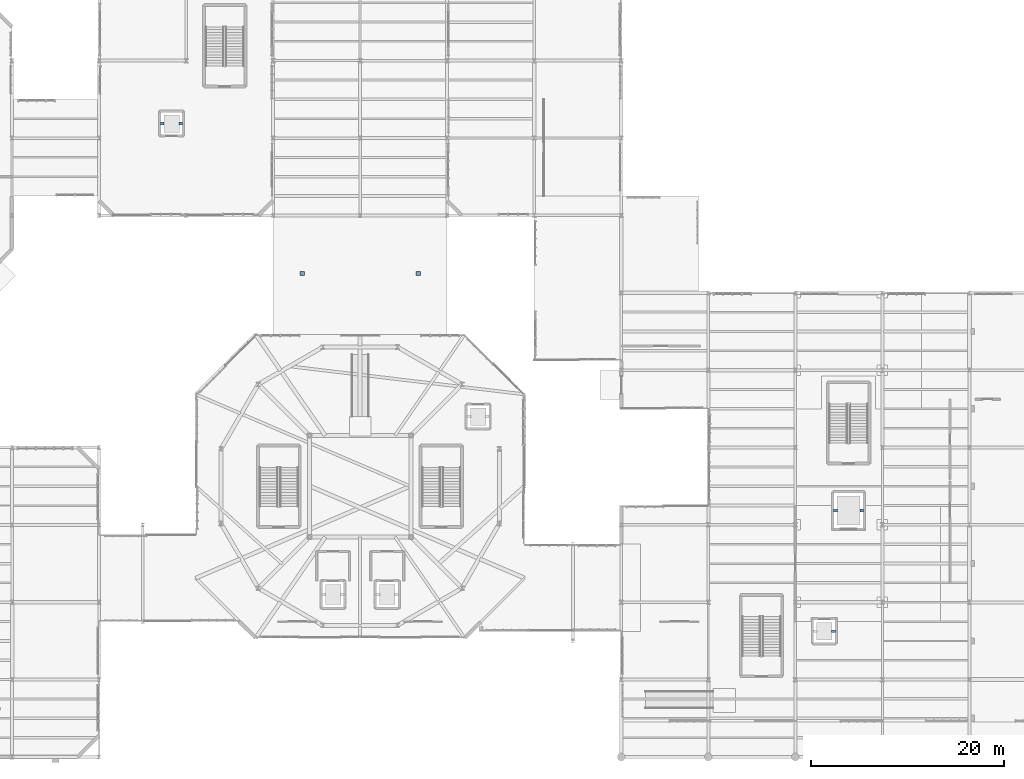
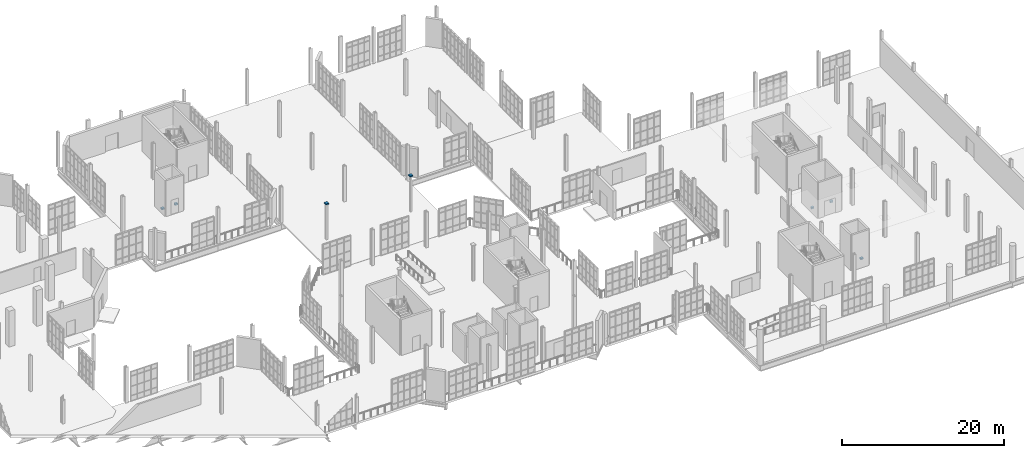
# One storey, part 180 of 189: 7 discrete accessories.
"""IFC4 building model written with IfcOpenShell, lengths in metres."""

from ifc_helpers import new_model, si_unit, direction, frame, origin, place, context, subcontext, project, spatial, polyline, outline, extrude, material, type_object, element, save


model = new_model("IFC4")

# Units and contexts
model_context = context("Model", 3, precision=1e-05, world=origin(), true_north=direction((0.0, 1.0)))
body_context = subcontext(model_context, "Body", "Model", "MODEL_VIEW")
ifc_project = project(units=[si_unit("LENGTHUNIT", "METRE"), si_unit("AREAUNIT", "SQUARE_METRE"), si_unit("VOLUMEUNIT", "CUBIC_METRE"), si_unit("PLANEANGLEUNIT", "RADIAN"), si_unit("MASSUNIT", "GRAM", prefix="KILO"), si_unit("THERMODYNAMICTEMPERATUREUNIT", "KELVIN"), si_unit("POWERUNIT", "WATT")], contexts=[model_context])

# Site, building, storey
site_placement = place(None, origin())
site = spatial("IfcSite", under=ifc_project, at=site_placement, CompositionType="ELEMENT")
building_placement = place(site_placement, origin())
building = spatial("IfcBuilding", under=site, at=building_placement, Name="Zelmaris Science Centre", CompositionType="ELEMENT")
storey_placement = place(building_placement, origin())
storey = spatial("IfcBuildingStorey", under=building, at=storey_placement, Name="L00", CompositionType="ELEMENT", Elevation=0.0)

# Discrete accessories
ifc_material_1 = material(Name="Galvanised steel ASTM A500 Grade B", Category="steel")
discrete_accessory_type_1 = type_object("IfcDiscreteAccessoryType", Name="Facade Bracket BK-02", PredefinedType="BRACKET", material=ifc_material_1)
discrete_accessory_1_placement = place(storey_placement, frame((0.0, 0.0, 0.199951171875)))
element("IfcDiscreteAccessory", 1, at=discrete_accessory_1_placement, inside=storey, type_object=discrete_accessory_type_1, Name="Lift LP-02 guide rail bracket E", PredefinedType="BRACKET", context=body_context, shape_type="SweptSolid", body=[
    extrude(outline(polyline([(129.760009765625, 20.85009765625), (130.139892578125, 20.85009765625), (130.139892578125, 21.14990234375), (129.760009765625, 21.14990234375), (129.760009765625, 20.85009765625)])), origin(), (0.0, 0.0, 1.0), 0.25),
])
discrete_accessory_2_placement = place(storey_placement, frame((0.0, 0.0, 0.199951171875)))
element("IfcDiscreteAccessory", 2, at=discrete_accessory_2_placement, inside=storey, type_object=discrete_accessory_type_1, Name="Lift LP-03 guide rail bracket W", PredefinedType="BRACKET", context=body_context, shape_type="SweptSolid", body=[
    extrude(outline(polyline([(60.360107421875, 73.35009765625), (60.739990234375, 73.35009765625), (60.739990234375, 73.64990234375), (60.360107421875, 73.64990234375), (60.360107421875, 73.35009765625)])), origin(), (0.0, 0.0, 1.0), 0.25),
])
discrete_accessory_3_placement = place(storey_placement, frame((0.0, 0.0, 0.199951171875)))
element("IfcDiscreteAccessory", 3, at=discrete_accessory_3_placement, inside=storey, type_object=discrete_accessory_type_1, Name="Lift LP-03 guide rail bracket E", PredefinedType="BRACKET", context=body_context, shape_type="SweptSolid", body=[
    extrude(outline(polyline([(62.260009765625, 73.35009765625), (62.639892578125, 73.35009765625), (62.639892578125, 73.64990234375), (62.260009765625, 73.64990234375), (62.260009765625, 73.35009765625)])), origin(), (0.0, 0.0, 1.0), 0.25),
])
discrete_accessory_4_placement = place(storey_placement, frame((0.0, 0.0, 0.199951171875)))
element("IfcDiscreteAccessory", 4, at=discrete_accessory_4_placement, inside=storey, type_object=discrete_accessory_type_1, Name="Lift GL-01 guide rail bracket W", PredefinedType="BRACKET", context=body_context, shape_type="SweptSolid", body=[
    extrude(outline(polyline([(129.9599609375, 33.35009765625), (130.340087890625, 33.35009765625), (130.340087890625, 33.64990234375), (129.9599609375, 33.64990234375), (129.9599609375, 33.35009765625)])), origin(), (0.0, 0.0, 1.0), 0.25),
])
discrete_accessory_5_placement = place(storey_placement, frame((0.0, 0.0, 0.199951171875)))
element("IfcDiscreteAccessory", 5, at=discrete_accessory_5_placement, inside=storey, type_object=discrete_accessory_type_1, Name="Lift GL-01 guide rail bracket E", PredefinedType="BRACKET", context=body_context, shape_type="SweptSolid", body=[
    extrude(outline(polyline([(132.659912109375, 33.35009765625), (133.0400390625, 33.35009765625), (133.0400390625, 33.64990234375), (132.659912109375, 33.64990234375), (132.659912109375, 33.35009765625)])), origin(), (0.0, 0.0, 1.0), 0.25),
])
ifc_material_2 = material(Name="Steel ASTM A500 Grade C", Category="steel")
discrete_accessory_type_2 = type_object("IfcDiscreteAccessoryType", Name="Hollow Section End Cap Plate BK-ECP", PredefinedType="BRACKET", material=ifc_material_2)
discrete_accessory_6_placement = place(storey_placement, frame((0.0, 0.0, 5.326904296875)))
element("IfcDiscreteAccessory", 6, at=discrete_accessory_6_placement, inside=storey, type_object=discrete_accessory_type_2, Name="End cap plate 43", PredefinedType="BRACKET", context=body_context, shape_type="SweptSolid", body=[
    extrude(outline(polyline([(74.78076171875, 57.78076171875), (75.21923828125, 57.78076171875), (75.21923828125, 58.21923828125), (74.78076171875, 58.21923828125), (74.78076171875, 57.78076171875)])), origin(), (0.0, 0.0, 1.0), 0.158203125),
])
discrete_accessory_7_placement = place(storey_placement, frame((0.0, 0.0, 5.326904296875)))
element("IfcDiscreteAccessory", 7, at=discrete_accessory_7_placement, inside=storey, type_object=discrete_accessory_type_2, Name="End cap plate 51", PredefinedType="BRACKET", context=body_context, shape_type="SweptSolid", body=[
    extrude(outline(polyline([(86.78076171875, 57.78076171875), (87.21923828125, 57.78076171875), (87.21923828125, 58.21923828125), (86.78076171875, 58.21923828125), (86.78076171875, 57.78076171875)])), origin(), (0.0, 0.0, 1.0), 0.158203125),
])

save(model, "model.ifc")
